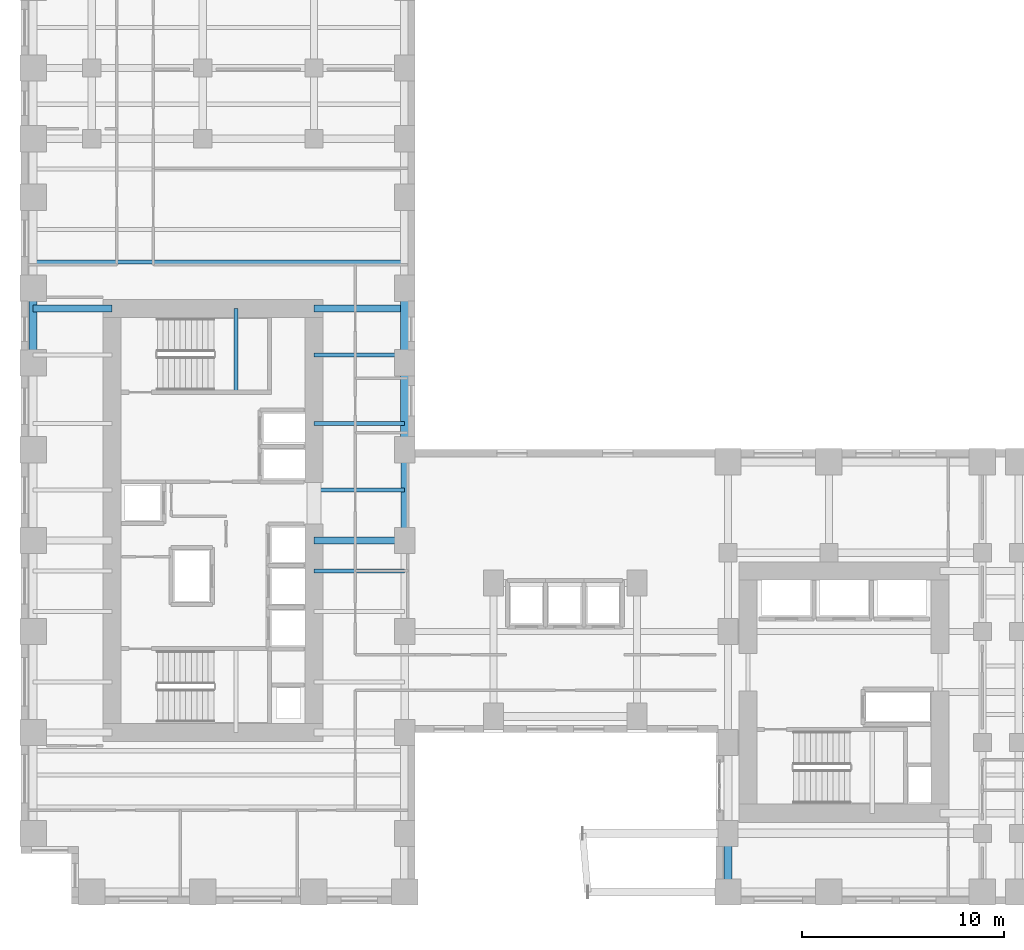
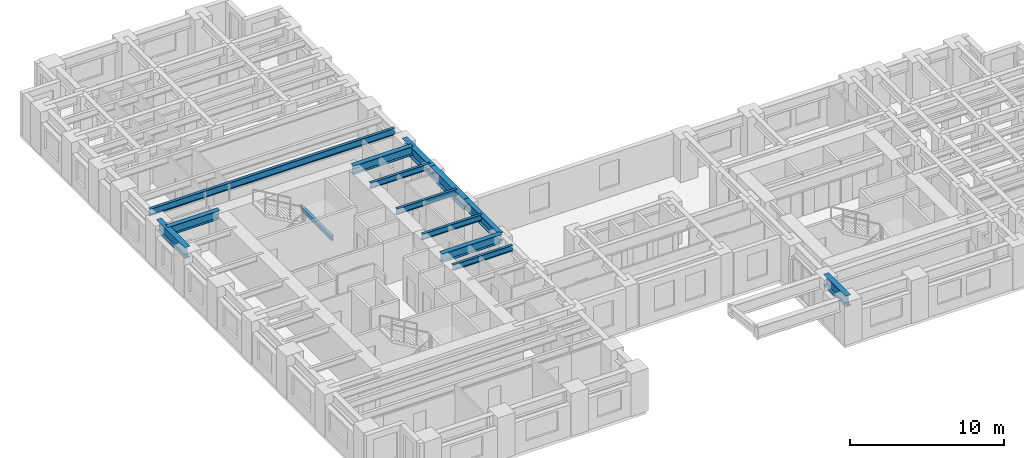
# One storey, part 2 of 14: 14 beams.
"""IFC4 building model written with IfcOpenShell, lengths in metres."""

from ifc_helpers import new_model, si_unit, direction, frame, origin, origin_2d, place, context, subcontext, project, spatial, i_section, extrude, source, transform, mapped, material, material_profile, profile_set, type_object, element, save


model = new_model("IFC4")

# Units and contexts
model_context = context("Model", 3, precision=1e-05, world=origin(), true_north=direction((0.0, 1.0)))
body_context = subcontext(model_context, "Body", "Model", "MODEL_VIEW")
ifc_project = project(units=[si_unit("LENGTHUNIT", "METRE"), si_unit("AREAUNIT", "SQUARE_METRE"), si_unit("VOLUMEUNIT", "CUBIC_METRE"), si_unit("PLANEANGLEUNIT", "RADIAN"), si_unit("MASSUNIT", "GRAM", prefix="KILO")], contexts=[model_context])

# Site, building, storey
site_placement = place(None, origin())
site = spatial("IfcSite", under=ifc_project, at=site_placement, CompositionType="ELEMENT")
building_placement = place(site_placement, origin())
building = spatial("IfcBuilding", under=site, at=building_placement, Name="Kharzan Plaza Tower", CompositionType="ELEMENT")
storey_placement = place(building_placement, frame((0.0, 0.0, 44.10009765625)))
storey = spatial("IfcBuildingStorey", under=building, at=storey_placement, Name="L11", CompositionType="ELEMENT", Elevation=44.10009765625)

# Beams
ifc_material = material(Name="Steel S355", Category="steel")
ifc_material_profile_1 = material_profile(ifc_material, i_section(OverallWidth=0.205078125, OverallDepth=0.35400390625, WebThickness=0.009521484375, FlangeThickness=0.016845703125, at=origin_2d()), Name="W360x79")
ifc_profile_set_1 = profile_set([ifc_material_profile_1], Name="Steel S355")
beam_type_1 = type_object("IfcBeamType", Name="BM-LNT360", PredefinedType="LINTEL", material=ifc_profile_set_1)
shared_shape_1 = source(origin(), body_context, "Body", "SweptSolid", [
    extrude(i_section(OverallWidth=0.205078125, OverallDepth=0.35400390625, WebThickness=0.009521484375, FlangeThickness=0.016845703125, at=origin_2d()), origin(), (0.0, 0.0, 1.0), 4.155029296875),
])
beam_1_placement = place(storey_placement, frame((10.64990234375, 25.344970703125, 1.4228515625), z_axis=(0.0, 1.0, 0.0), x_axis=(-1.0, 0.0, 0.0)))
element("IfcBeam", 1, at=beam_1_placement, inside=storey, type_object=beam_type_1, Name="L11 Stair ST-2 Half-Landing Beam", PredefinedType="LINTEL", context=body_context, shape_type="MappedRepresentation", body=[
    mapped(shared_shape_1, transform((0.0, 0.0, 0.0), x_axis=(1.0, 0.0, 0.0), y_axis=(0.0, 1.0, 0.0), z_axis=(0.0, 0.0, 1.0))),
])
ifc_material_profile_2 = material_profile(ifc_material, i_section(OverallWidth=0.35498046875, OverallDepth=0.695068359375, WebThickness=0.015380859375, FlangeThickness=0.02490234375, at=origin_2d()), Name="W690x217")
ifc_profile_set_2 = profile_set([ifc_material_profile_2], Name="Steel S355")
beam_type_2 = type_object("IfcBeamType", Name="BM-FG690A", PredefinedType="BEAM", material=ifc_profile_set_2)
shared_shape_2 = source(origin(), body_context, "Body", "SweptSolid", [
    extrude(i_section(OverallWidth=0.35498046875, OverallDepth=0.695068359375, WebThickness=0.015380859375, FlangeThickness=0.02490234375, at=origin_2d()), origin(), (0.0, 0.0, 1.0), 4.5),
])
for number, where, z_axis, x_axis, name in (
    (2, (14.5, 18.0, 3.032470703125), (1.0, 0.0, 0.0), (0.0, 1.0, 0.0), "L11 Core-A East Floor Girder 2"),
    (3, (14.5, 29.5, 3.032470703125), (1.0, 0.0, 0.0), (0.0, 1.0, 0.0), "L11 Core-A East Floor Girder 3"),
    (4, (19.0, 18.0, 3.032470703125), (0.0, 1.0, 0.0), (-1.0, 0.0, 0.0), "L11 Interior Frame Girder"),
):
    element("IfcBeam", number, at=place(storey_placement, frame(where, z_axis=z_axis, x_axis=x_axis)), inside=storey, type_object=beam_type_2, Name=name, PredefinedType="BEAM", context=body_context, shape_type="MappedRepresentation", body=[
        mapped(shared_shape_2, transform((0.0, 0.0, 0.0), x_axis=(1.0, 0.0, 0.0), y_axis=(0.0, 1.0, 0.0), z_axis=(0.0, 0.0, 1.0))),
    ])
shared_shape_3 = source(origin(), body_context, "Body", "SweptSolid", [
    extrude(i_section(OverallWidth=0.35498046875, OverallDepth=0.695068359375, WebThickness=0.015380859375, FlangeThickness=0.02490234375, at=origin_2d()), origin(), (0.0, 0.0, 1.0), 3.89990234375),
])
beam_2_placement = place(storey_placement, frame((0.60009765625, 29.5, 3.032470703125), z_axis=(1.0, 0.0, 0.0), x_axis=(0.0, 1.0, 0.0)))
element("IfcBeam", 5, at=beam_2_placement, inside=storey, type_object=beam_type_2, Name="L11 Core-A West Floor Girder 3", PredefinedType="BEAM", context=body_context, shape_type="MappedRepresentation", body=[
    mapped(shared_shape_3, transform((0.0, 0.0, 0.0), x_axis=(1.0, 0.0, 0.0), y_axis=(0.0, 1.0, 0.0), z_axis=(0.0, 0.0, 1.0))),
])
ifc_material_profile_3 = material_profile(ifc_material, i_section(OverallWidth=0.2099609375, OverallDepth=0.537109375, WebThickness=0.010986328125, FlangeThickness=0.017333984375, at=origin_2d()), Name="W530x101")
ifc_profile_set_3 = profile_set([ifc_material_profile_3], Name="Steel S355")
beam_type_3 = type_object("IfcBeamType", Name="BM-JST530B", PredefinedType="JOIST", material=ifc_profile_set_3)
shared_shape_4 = source(origin(), body_context, "Body", "SweptSolid", [
    extrude(i_section(OverallWidth=0.2099609375, OverallDepth=0.537109375, WebThickness=0.010986328125, FlangeThickness=0.017333984375, at=origin_2d()), origin(), (0.0, 0.0, 1.0), 18.39990234375),
])
beam_3_placement = place(storey_placement, frame((0.60009765625, 31.800048828125, 3.111328125), z_axis=(1.0, 0.0, 0.0), x_axis=(0.0, 1.0, 0.0)))
element("IfcBeam", 6, at=beam_3_placement, inside=storey, type_object=beam_type_3, Name="L11 Wing A Composite Joist 04", PredefinedType="JOIST", context=body_context, shape_type="MappedRepresentation", body=[
    mapped(shared_shape_4, transform((0.0, 0.0, 0.0), x_axis=(1.0, 0.0, 0.0), y_axis=(0.0, 1.0, 0.0), z_axis=(0.0, 0.0, 1.0))),
])
ifc_material_profile_4 = material_profile(ifc_material, i_section(OverallWidth=0.194091796875, OverallDepth=0.468994140625, WebThickness=0.011474609375, FlangeThickness=0.0205078125, at=origin_2d()), Name="W460x106")
ifc_profile_set_4 = profile_set([ifc_material_profile_4], Name="Steel S355")
beam_type_4 = type_object("IfcBeamType", Name="BM-JST460", PredefinedType="JOIST", material=ifc_profile_set_4)
shared_shape_5 = source(origin(), body_context, "Body", "SweptSolid", [
    extrude(i_section(OverallWidth=0.194091796875, OverallDepth=0.468994140625, WebThickness=0.011474609375, FlangeThickness=0.0205078125, at=origin_2d()), origin(), (0.0, 0.0, 1.0), 4.5),
])
for number, where, z_axis, x_axis, name in (
    (7, (14.5, 16.5, 3.1455078125), (1.0, 0.0, 0.0), (0.0, 1.0, 0.0), "L11 Wing A East Infill Joist 3"),
    (8, (14.5, 20.5, 3.1455078125), (1.0, 0.0, 0.0), (0.0, 1.0, 0.0), "L11 Wing A East Infill Joist 4"),
    (9, (14.5, 23.800048828125, 3.1455078125), (1.0, 0.0, 0.0), (0.0, 1.0, 0.0), "L11 Wing A East Infill Joist 5"),
    (10, (14.5, 27.199951171875, 3.1455078125), (1.0, 0.0, 0.0), (0.0, 1.0, 0.0), "L11 Wing A East Infill Joist 6"),
):
    element("IfcBeam", number, at=place(storey_placement, frame(where, z_axis=z_axis, x_axis=x_axis)), inside=storey, type_object=beam_type_4, Name=name, PredefinedType="JOIST", context=body_context, shape_type="MappedRepresentation", body=[
        mapped(shared_shape_5, transform((0.0, 0.0, 0.0), x_axis=(1.0, 0.0, 0.0), y_axis=(0.0, 1.0, 0.0), z_axis=(0.0, 0.0, 1.0))),
    ])
ifc_material_profile_5 = material_profile(ifc_material, i_section(OverallWidth=0.40087890625, OverallDepth=0.85498046875, WebThickness=0.018310546875, FlangeThickness=0.029296875, at=origin_2d()), Name="W840x299")
ifc_profile_set_5 = profile_set([ifc_material_profile_5], Name="Steel S355")
beam_type_5 = type_object("IfcBeamType", Name="BM-SP840A", PredefinedType="SPANDREL", material=ifc_profile_set_5)
shared_shape_6 = source(origin(), body_context, "Body", "SweptSolid", [
    extrude(i_section(OverallWidth=0.40087890625, OverallDepth=0.85498046875, WebThickness=0.018310546875, FlangeThickness=0.029296875, at=origin_2d()), origin(), (0.0, 0.0, 1.0), 4.300048828125),
])
beam_4_placement = place(storey_placement, frame((19.0, 22.5, 2.952392578125), z_axis=(0.0, 1.0, 0.0), x_axis=(-1.0, 0.0, 0.0)))
element("IfcBeam", 11, at=beam_4_placement, inside=storey, type_object=beam_type_5, Name="L11 Perimeter Tube Spandrel", PredefinedType="SPANDREL", context=body_context, shape_type="MappedRepresentation", body=[
    mapped(shared_shape_6, transform((0.0, 0.0, 0.0), x_axis=(1.0, 0.0, 0.0), y_axis=(0.0, 1.0, 0.0), z_axis=(0.0, 0.0, 1.0))),
])
shared_shape_7 = source(origin(), body_context, "Body", "SweptSolid", [
    extrude(i_section(OverallWidth=0.40087890625, OverallDepth=0.85498046875, WebThickness=0.018310546875, FlangeThickness=0.029296875, at=origin_2d()), origin(), (0.0, 0.0, 1.0), 3.699951171875),
])
for number, where, z_axis, x_axis, name in (
    (12, (0.60009765625, 26.800048828125, 2.952392578125), (0.0, 1.0, 0.0), (-1.0, 0.0, 0.0), "L11 Perimeter Tube Spandrel"),
    (13, (19.0, 26.800048828125, 2.952392578125), (0.0, 1.0, 0.0), (-1.0, 0.0, 0.0), "L11 Perimeter Tube Spandrel"),
):
    element("IfcBeam", number, at=place(storey_placement, frame(where, z_axis=z_axis, x_axis=x_axis)), inside=storey, type_object=beam_type_5, Name=name, PredefinedType="SPANDREL", context=body_context, shape_type="MappedRepresentation", body=[
        mapped(shared_shape_7, transform((0.0, 0.0, 0.0), x_axis=(1.0, 0.0, 0.0), y_axis=(0.0, 1.0, 0.0), z_axis=(0.0, 0.0, 1.0))),
    ])
shared_shape_8 = source(origin(), body_context, "Body", "SweptSolid", [
    extrude(i_section(OverallWidth=0.40087890625, OverallDepth=0.85498046875, WebThickness=0.018310546875, FlangeThickness=0.029296875, at=origin_2d()), origin(), (0.0, 0.0, 1.0), 2.89990234375),
])
beam_5_placement = place(storey_placement, frame((35.0, 0.60009765625, 2.952392578125), z_axis=(0.0, 1.0, 0.0), x_axis=(-1.0, 0.0, 0.0)))
element("IfcBeam", 14, at=beam_5_placement, inside=storey, type_object=beam_type_5, Name="L11 Perimeter Tube Spandrel", PredefinedType="SPANDREL", context=body_context, shape_type="MappedRepresentation", body=[
    mapped(shared_shape_8, transform((0.0, 0.0, 0.0), x_axis=(1.0, 0.0, 0.0), y_axis=(0.0, 1.0, 0.0), z_axis=(0.0, 0.0, 1.0))),
])

save(model, "model.ifc")
